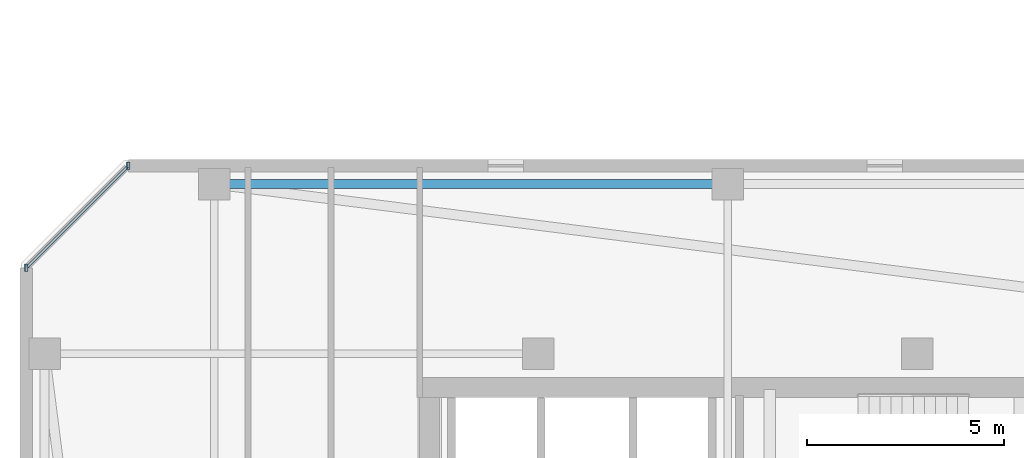
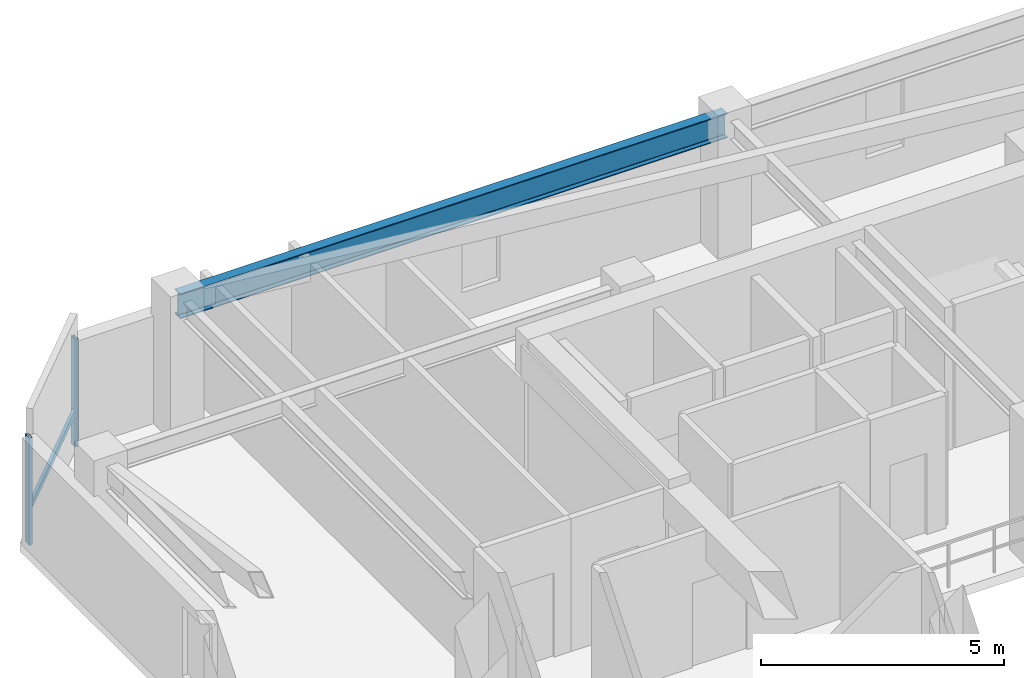
# One storey, part 10 of 35: 3 members, 1 beam, 1 element without a shape of its own.
"""IFC4 building model written with IfcOpenShell, lengths in metres."""

from ifc_helpers import new_model, si_unit, direction, frame, origin, origin_2d, place, context, subcontext, project, spatial, hollow_rectangle, i_section, extrude, material, material_profile, profile_set, type_object, element, aggregate, save


model = new_model("IFC4")

# Units and contexts
model_context = context("Model", 3, precision=1e-05, world=origin(), true_north=direction((0.0, 1.0)))
body_context = subcontext(model_context, "Body", "Model", "MODEL_VIEW")
ifc_project = project(units=[si_unit("LENGTHUNIT", "METRE"), si_unit("AREAUNIT", "SQUARE_METRE"), si_unit("VOLUMEUNIT", "CUBIC_METRE"), si_unit("PLANEANGLEUNIT", "RADIAN"), si_unit("MASSUNIT", "GRAM", prefix="KILO")], contexts=[model_context])

# Site, building, storey
site_placement = place(None, origin())
site = spatial("IfcSite", under=ifc_project, at=site_placement, CompositionType="ELEMENT")
building_placement = place(site_placement, origin())
building = spatial("IfcBuilding", under=site, at=building_placement, Name="Thornwick Lancets Civic Towers", CompositionType="ELEMENT")
storey_placement = place(building_placement, frame((0.0, 0.0, 269.10009765625)))
storey = spatial("IfcBuildingStorey", under=building, at=storey_placement, Name="L72", CompositionType="ELEMENT", Elevation=269.10009765625)

# Beam
ifc_material_1 = material(Name="Steel S355JR", Category="steel")
ifc_material_profile_1 = material_profile(ifc_material_1, i_section(OverallWidth=0.230224609375, OverallDepth=0.6171875, WebThickness=0.01318359375, FlangeThickness=0.022216796875, FilletRadius=0.0126953125, at=origin_2d()), Name="UKB 610x229x140")
ifc_profile_set_1 = profile_set([ifc_material_profile_1], Name="Steel S355JR")
beam_type = type_object("IfcBeamType", Name="BM_GIRD_610_140", PredefinedType="BEAM", material=ifc_profile_set_1)
beam_placement = place(storey_placement, frame((12.5, 44.300048828125, 3.05126953125), z_axis=(1.0, 0.0, 0.0), x_axis=(0.0, 1.0, 0.0)))
element("IfcBeam", 1, at=beam_placement, inside=storey, type_object=beam_type, Name="BM-SPINE-L72-A-6-7", PredefinedType="BEAM", context=body_context, shape_type="SweptSolid", body=[
    extrude(i_section(OverallWidth=0.230224609375, OverallDepth=0.6171875, WebThickness=0.01318359375, FlangeThickness=0.022216796875, FilletRadius=0.0126953125, at=origin_2d()), origin(), (0.0, 0.0, 1.0), 13.0),
])

# Curtain wall, members
ifc_material_2 = material(Name="High-zone chamfered-corner unitised glass curtain wall", Category="glass")
curtain_wall_type = type_object("IfcCurtainWallType", Name="CW_SYS_05", PredefinedType="NOTDEFINED", material=ifc_material_2)
curtain_wall_placement = place(storey_placement, origin())
curtain_wall = element("IfcCurtainWall", 2, at=curtain_wall_placement, inside=storey, type_object=curtain_wall_type, Name="L72 Curtain Wall CW-L72-A-E5", PredefinedType="NOTDEFINED")
ifc_material_3 = material(Name="Thermally broken bronze aluminium S355", Category="steel")
ifc_material_profile_2 = material_profile(ifc_material_3, hollow_rectangle(XDim=0.074951171875, YDim=0.179931640625, WallThickness=0.006103515625, at=origin_2d()), Name="RHS 180x75x6")
ifc_profile_set_2 = profile_set([ifc_material_profile_2], Name="Thermally broken bronze aluminium S355")
member_type_1 = type_object("IfcMemberType", Name="CW_MUL_180", PredefinedType="MULLION", material=ifc_profile_set_2)
member_1_placement = place(storey_placement, frame((10.318603515625, 44.7646484375, 0.0), z_axis=(0.0, 0.0, 1.0), x_axis=(1.0, 0.0, 0.0)))
member_1 = element("IfcMember", 3, at=member_1_placement, type_object=member_type_1, Name="CW-L72-A-E5 Mullion 0", PredefinedType="MULLION", context=body_context, shape_type="SweptSolid", body=[
    extrude(hollow_rectangle(XDim=0.074951171875, YDim=0.179931640625, WallThickness=0.006103515625, at=origin_2d()), origin(), (0.0, 0.0, 1.0), 2.699951171875),
])
member_2_placement = place(storey_placement, frame((7.7353515625, 42.181396484375, 0.0), z_axis=(0.0, 0.0, 1.0), x_axis=(1.0, 0.0, 0.0)))
member_2 = element("IfcMember", 4, at=member_2_placement, type_object=member_type_1, Name="CW-L72-A-E5 Mullion 1", PredefinedType="MULLION", context=body_context, shape_type="SweptSolid", body=[
    extrude(hollow_rectangle(XDim=0.074951171875, YDim=0.179931640625, WallThickness=0.006103515625, at=origin_2d()), origin(), (0.0, 0.0, 1.0), 2.699951171875),
])
ifc_material_profile_3 = material_profile(ifc_material_3, hollow_rectangle(XDim=0.074951171875, YDim=0.14990234375, WallThickness=0.0048828125, at=origin_2d()), Name="RHS 150x75x5")
ifc_profile_set_3 = profile_set([ifc_material_profile_3], Name="Thermally broken bronze aluminium S355")
member_type_2 = type_object("IfcMemberType", Name="CW_TRN_150", PredefinedType="USERDEFINED", material=ifc_profile_set_3)
member_3_placement = place(storey_placement, frame((10.304443359375, 44.75048828125, 0.849853515625), z_axis=(-0.707106781187, -0.707106781187, 0.0), x_axis=(0.707106781187, -0.707106781187, 0.0)))
member_3 = element("IfcMember", 5, at=member_3_placement, type_object=member_type_2, Name="CW-L72-A-E5 Transom 0", ObjectType="TRANSOM", PredefinedType="USERDEFINED", context=body_context, shape_type="SweptSolid", body=[
    extrude(hollow_rectangle(XDim=0.074951171875, YDim=0.14990234375, WallThickness=0.0048828125, at=origin_2d()), origin(), (0.0, 0.0, 1.0), 3.61328125),
])
aggregate(curtain_wall, [member_1, member_2, member_3])

save(model, "model.ifc")
